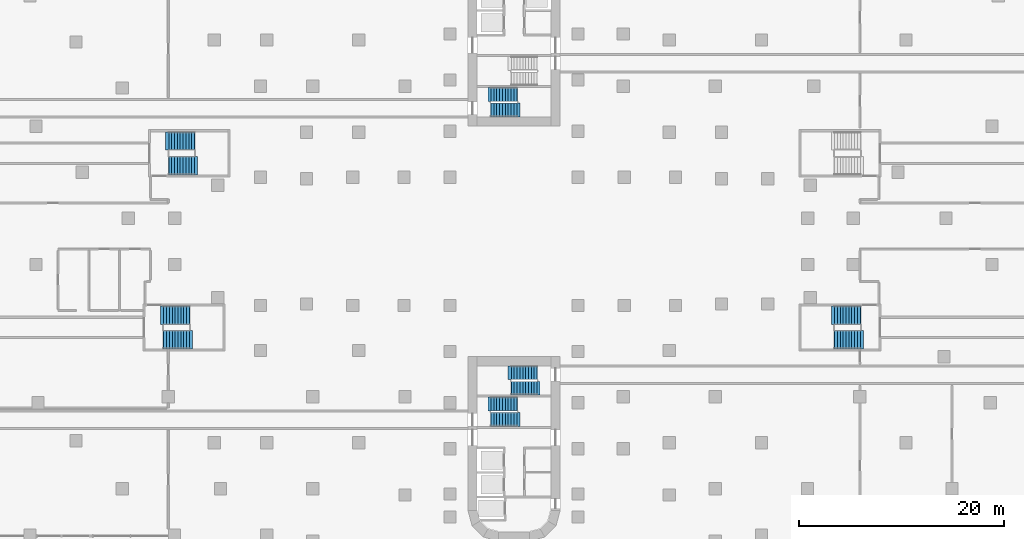
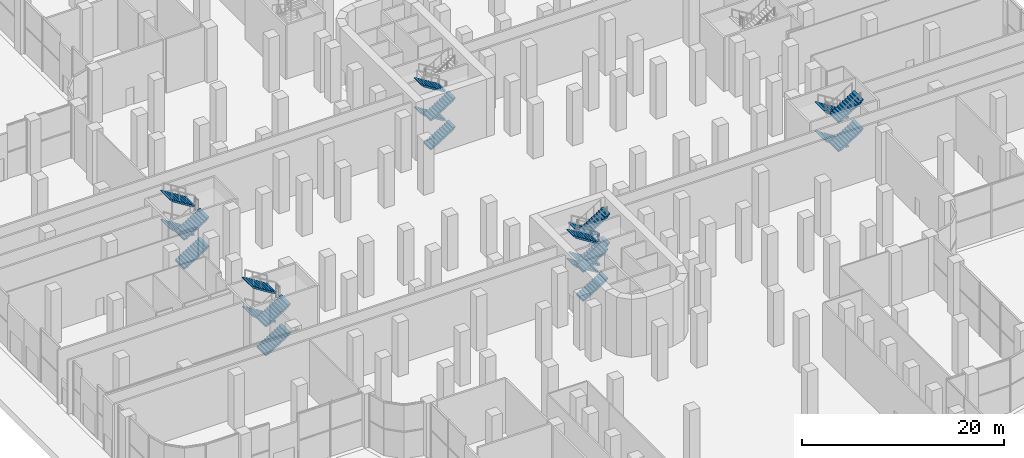
# One storey, part 28 of 34: 24 stair flights, 6 elements without a shape of their own.
"""IFC4 building model written with IfcOpenShell, lengths in metres."""

from ifc_helpers import new_model, si_unit, direction, frame, origin, place, context, subcontext, project, spatial, polyline, outline, extrude, material, type_object, element, aggregate, save


model = new_model("IFC4")

# Units and contexts
model_context = context("Model", 3, precision=1e-05, world=origin(), true_north=direction((0.0, 1.0)))
body_context = subcontext(model_context, "Body", "Model", "MODEL_VIEW")
ifc_project = project(units=[si_unit("LENGTHUNIT", "METRE"), si_unit("AREAUNIT", "SQUARE_METRE"), si_unit("VOLUMEUNIT", "CUBIC_METRE"), si_unit("PLANEANGLEUNIT", "RADIAN"), si_unit("MASSUNIT", "GRAM", prefix="KILO")], contexts=[model_context])

# Site, building, storey
site_placement = place(None, origin())
site = spatial("IfcSite", under=ifc_project, at=site_placement, CompositionType="ELEMENT")
building_placement = place(site_placement, origin())
building = spatial("IfcBuilding", under=site, at=building_placement, Name="Zarbagh Exchange Tower", CompositionType="ELEMENT")
storey_placement = place(building_placement, origin())
storey = spatial("IfcBuildingStorey", under=building, at=storey_placement, Name="L00", CompositionType="ELEMENT", Elevation=0.0)

# Stair, stair flights
ifc_material = material(Name="Concrete C40/50", Category="concrete")
stair_type = type_object("IfcStairType", Name="Exit stair two-flight half-turn", PredefinedType="HALF_TURN_STAIR", material=ifc_material)
stair_1_placement = place(storey_placement, origin())
stair_1 = element("IfcStair", 1, at=stair_1_placement, inside=storey, type_object=stair_type, Name="exit stair ST2", PredefinedType="HALF_TURN_STAIR")
stair_flight_type_1 = type_object("IfcStairFlightType", Name="Stair flight 1350 mm", PredefinedType="STRAIGHT", material=ifc_material)
stair_flight_1_placement = place(storey_placement, frame((-2.25, 12.824951171875, 0.0), z_axis=(0.0, 0.0, 1.0), x_axis=(1.0, 0.0, 0.0)))
stair_flight_1 = element("IfcStairFlight", 2, at=stair_flight_1_placement, type_object=stair_flight_type_1, Name="ST2 flight 1", NumberOfRisers=10, NumberOfTreads=9, PredefinedType="STRAIGHT", RiserHeight=0.175, TreadLength=0.28, context=body_context, shape_type="SweptSolid", body=[
    extrude(outline(polyline([(-0.050048828125, -0.050048828125), (-0.050048828125, 0.0), (0.0, 0.0), (0.0, 0.175048828125), (0.280029296875, 0.175048828125), (0.280029296875, 0.35009765625), (0.56005859375, 0.35009765625), (0.56005859375, 0.52490234375), (0.840087890625, 0.52490234375), (0.840087890625, 0.699951171875), (1.1201171875, 0.699951171875), (1.1201171875, 0.875), (1.39990234375, 0.875), (1.39990234375, 1.050048828125), (1.679931640625, 1.050048828125), (1.679931640625, 1.22509765625), (1.9599609375, 1.22509765625), (1.9599609375, 1.39990234375), (2.239990234375, 1.39990234375), (2.239990234375, 1.574951171875), (2.52001953125, 1.574951171875), (2.52001953125, 1.75), (2.820068359375, 1.830078125), (2.820068359375, 1.75), (2.52001953125, 1.398193359375), (0.28271484375, 0.0), (-0.050048828125, -0.050048828125)])), frame((0.0, 0.675048828125, 0.0), z_axis=(0.0, -1.0, 0.0), x_axis=(1.0, 0.0, 0.0)), (0.0, 0.0, 1.0), 1.35009765625),
])
stair_flight_2_placement = place(storey_placement, frame((0.27001953125, 14.324951171875, 1.75), z_axis=(0.0, 0.0, 1.0), x_axis=(-1.0, 0.0, 0.0)))
stair_flight_2 = element("IfcStairFlight", 3, at=stair_flight_2_placement, type_object=stair_flight_type_1, Name="ST2 flight 2", NumberOfRisers=10, NumberOfTreads=9, PredefinedType="STRAIGHT", RiserHeight=0.175, TreadLength=0.28, context=body_context, shape_type="SweptSolid", body=[
    extrude(outline(polyline([(-0.050048828125, -0.050048828125), (-0.050048828125, 0.0), (0.0, 0.0), (0.0, 0.175048828125), (0.280029296875, 0.175048828125), (0.280029296875, 0.35009765625), (0.56005859375, 0.35009765625), (0.56005859375, 0.52490234375), (0.840087890625, 0.52490234375), (0.840087890625, 0.699951171875), (1.1201171875, 0.699951171875), (1.1201171875, 0.875), (1.39990234375, 0.875), (1.39990234375, 1.050048828125), (1.679931640625, 1.050048828125), (1.679931640625, 1.22509765625), (1.9599609375, 1.22509765625), (1.9599609375, 1.39990234375), (2.239990234375, 1.39990234375), (2.239990234375, 1.574951171875), (2.52001953125, 1.574951171875), (2.52001953125, 1.75), (2.820068359375, 1.830078125), (2.820068359375, 1.75), (2.52001953125, 1.398193359375), (0.28271484375, 0.0), (-0.050048828125, -0.050048828125)])), frame((0.0, 0.675048828125, 0.0), z_axis=(0.0, -1.0, 0.0), x_axis=(1.0, 0.0, 0.0)), (0.0, 0.0, 1.0), 1.35009765625),
])
stair_flight_3_placement = place(storey_placement, frame((-2.25, 12.824951171875, 3.5), z_axis=(0.0, 0.0, 1.0), x_axis=(1.0, 0.0, 0.0)))
stair_flight_3 = element("IfcStairFlight", 4, at=stair_flight_3_placement, type_object=stair_flight_type_1, Name="ST2 flight 3", NumberOfRisers=10, NumberOfTreads=9, PredefinedType="STRAIGHT", RiserHeight=0.175, TreadLength=0.28, context=body_context, shape_type="SweptSolid", body=[
    extrude(outline(polyline([(-0.050048828125, -0.050048828125), (-0.050048828125, 0.0), (0.0, 0.0), (0.0, 0.175048828125), (0.280029296875, 0.175048828125), (0.280029296875, 0.35009765625), (0.56005859375, 0.35009765625), (0.56005859375, 0.52490234375), (0.840087890625, 0.52490234375), (0.840087890625, 0.699951171875), (1.1201171875, 0.699951171875), (1.1201171875, 0.875), (1.39990234375, 0.875), (1.39990234375, 1.050048828125), (1.679931640625, 1.050048828125), (1.679931640625, 1.22509765625), (1.9599609375, 1.22509765625), (1.9599609375, 1.39990234375), (2.239990234375, 1.39990234375), (2.239990234375, 1.574951171875), (2.52001953125, 1.574951171875), (2.52001953125, 1.75), (2.820068359375, 1.830078125), (2.820068359375, 1.75), (2.52001953125, 1.398193359375), (0.28271484375, 0.0), (-0.050048828125, -0.050048828125)])), frame((0.0, 0.675048828125, 0.0), z_axis=(0.0, -1.0, 0.0), x_axis=(1.0, 0.0, 0.0)), (0.0, 0.0, 1.0), 1.35009765625),
])
stair_flight_4_placement = place(storey_placement, frame((0.27001953125, 14.324951171875, 5.25), z_axis=(0.0, 0.0, 1.0), x_axis=(-1.0, 0.0, 0.0)))
stair_flight_4 = element("IfcStairFlight", 5, at=stair_flight_4_placement, type_object=stair_flight_type_1, Name="ST2 flight 4", NumberOfRisers=10, NumberOfTreads=9, PredefinedType="STRAIGHT", RiserHeight=0.175, TreadLength=0.28, context=body_context, shape_type="SweptSolid", body=[
    extrude(outline(polyline([(-0.050048828125, -0.050048828125), (-0.050048828125, 0.0), (0.0, 0.0), (0.0, 0.175048828125), (0.280029296875, 0.175048828125), (0.280029296875, 0.35009765625), (0.56005859375, 0.35009765625), (0.56005859375, 0.52490234375), (0.840087890625, 0.52490234375), (0.840087890625, 0.699951171875), (1.1201171875, 0.699951171875), (1.1201171875, 0.875), (1.39990234375, 0.875), (1.39990234375, 1.050048828125), (1.679931640625, 1.050048828125), (1.679931640625, 1.22509765625), (1.9599609375, 1.22509765625), (1.9599609375, 1.39990234375), (2.239990234375, 1.39990234375), (2.239990234375, 1.574951171875), (2.52001953125, 1.574951171875), (2.52001953125, 1.75), (2.820068359375, 1.830078125), (2.820068359375, 1.75), (2.52001953125, 1.398193359375), (0.28271484375, 0.0), (-0.050048828125, -0.050048828125)])), frame((0.0, 0.675048828125, 0.0), z_axis=(0.0, -1.0, 0.0), x_axis=(1.0, 0.0, 0.0)), (0.0, 0.0, 1.0), 1.35009765625),
])
aggregate(stair_1, [stair_flight_1, stair_flight_2, stair_flight_3, stair_flight_4])

stair_2_placement = place(storey_placement, origin())
stair_2 = element("IfcStair", 6, at=stair_2_placement, inside=storey, type_object=stair_type, Name="exit stair ST3", PredefinedType="HALF_TURN_STAIR")
stair_flight_5_placement = place(storey_placement, frame((-2.25, -17.375, 0.0), z_axis=(0.0, 0.0, 1.0), x_axis=(1.0, 0.0, 0.0)))
stair_flight_5 = element("IfcStairFlight", 7, at=stair_flight_5_placement, type_object=stair_flight_type_1, Name="ST3 flight 1", NumberOfRisers=10, NumberOfTreads=9, PredefinedType="STRAIGHT", RiserHeight=0.175, TreadLength=0.28, context=body_context, shape_type="SweptSolid", body=[
    extrude(outline(polyline([(-0.050048828125, -0.050048828125), (-0.050048828125, 0.0), (0.0, 0.0), (0.0, 0.175048828125), (0.280029296875, 0.175048828125), (0.280029296875, 0.35009765625), (0.56005859375, 0.35009765625), (0.56005859375, 0.52490234375), (0.840087890625, 0.52490234375), (0.840087890625, 0.699951171875), (1.1201171875, 0.699951171875), (1.1201171875, 0.875), (1.39990234375, 0.875), (1.39990234375, 1.050048828125), (1.679931640625, 1.050048828125), (1.679931640625, 1.22509765625), (1.9599609375, 1.22509765625), (1.9599609375, 1.39990234375), (2.239990234375, 1.39990234375), (2.239990234375, 1.574951171875), (2.52001953125, 1.574951171875), (2.52001953125, 1.75), (2.820068359375, 1.830078125), (2.820068359375, 1.75), (2.52001953125, 1.398193359375), (0.28271484375, 0.0), (-0.050048828125, -0.050048828125)])), frame((0.0, 0.675048828125, 0.0), z_axis=(0.0, -1.0, 0.0), x_axis=(1.0, 0.0, 0.0)), (0.0, 0.0, 1.0), 1.35009765625),
])
stair_flight_6_placement = place(storey_placement, frame((0.27001953125, -15.875, 1.75), z_axis=(0.0, 0.0, 1.0), x_axis=(-1.0, 0.0, 0.0)))
stair_flight_6 = element("IfcStairFlight", 8, at=stair_flight_6_placement, type_object=stair_flight_type_1, Name="ST3 flight 2", NumberOfRisers=10, NumberOfTreads=9, PredefinedType="STRAIGHT", RiserHeight=0.175, TreadLength=0.28, context=body_context, shape_type="SweptSolid", body=[
    extrude(outline(polyline([(-0.050048828125, -0.050048828125), (-0.050048828125, 0.0), (0.0, 0.0), (0.0, 0.175048828125), (0.280029296875, 0.175048828125), (0.280029296875, 0.35009765625), (0.56005859375, 0.35009765625), (0.56005859375, 0.52490234375), (0.840087890625, 0.52490234375), (0.840087890625, 0.699951171875), (1.1201171875, 0.699951171875), (1.1201171875, 0.875), (1.39990234375, 0.875), (1.39990234375, 1.050048828125), (1.679931640625, 1.050048828125), (1.679931640625, 1.22509765625), (1.9599609375, 1.22509765625), (1.9599609375, 1.39990234375), (2.239990234375, 1.39990234375), (2.239990234375, 1.574951171875), (2.52001953125, 1.574951171875), (2.52001953125, 1.75), (2.820068359375, 1.830078125), (2.820068359375, 1.75), (2.52001953125, 1.398193359375), (0.28271484375, 0.0), (-0.050048828125, -0.050048828125)])), frame((0.0, 0.675048828125, 0.0), z_axis=(0.0, -1.0, 0.0), x_axis=(1.0, 0.0, 0.0)), (0.0, 0.0, 1.0), 1.35009765625),
])
stair_flight_7_placement = place(storey_placement, frame((-2.25, -17.375, 3.5), z_axis=(0.0, 0.0, 1.0), x_axis=(1.0, 0.0, 0.0)))
stair_flight_7 = element("IfcStairFlight", 9, at=stair_flight_7_placement, type_object=stair_flight_type_1, Name="ST3 flight 3", NumberOfRisers=10, NumberOfTreads=9, PredefinedType="STRAIGHT", RiserHeight=0.175, TreadLength=0.28, context=body_context, shape_type="SweptSolid", body=[
    extrude(outline(polyline([(-0.050048828125, -0.050048828125), (-0.050048828125, 0.0), (0.0, 0.0), (0.0, 0.175048828125), (0.280029296875, 0.175048828125), (0.280029296875, 0.35009765625), (0.56005859375, 0.35009765625), (0.56005859375, 0.52490234375), (0.840087890625, 0.52490234375), (0.840087890625, 0.699951171875), (1.1201171875, 0.699951171875), (1.1201171875, 0.875), (1.39990234375, 0.875), (1.39990234375, 1.050048828125), (1.679931640625, 1.050048828125), (1.679931640625, 1.22509765625), (1.9599609375, 1.22509765625), (1.9599609375, 1.39990234375), (2.239990234375, 1.39990234375), (2.239990234375, 1.574951171875), (2.52001953125, 1.574951171875), (2.52001953125, 1.75), (2.820068359375, 1.830078125), (2.820068359375, 1.75), (2.52001953125, 1.398193359375), (0.28271484375, 0.0), (-0.050048828125, -0.050048828125)])), frame((0.0, 0.675048828125, 0.0), z_axis=(0.0, -1.0, 0.0), x_axis=(1.0, 0.0, 0.0)), (0.0, 0.0, 1.0), 1.35009765625),
])
stair_flight_8_placement = place(storey_placement, frame((0.27001953125, -15.875, 5.25), z_axis=(0.0, 0.0, 1.0), x_axis=(-1.0, 0.0, 0.0)))
stair_flight_8 = element("IfcStairFlight", 10, at=stair_flight_8_placement, type_object=stair_flight_type_1, Name="ST3 flight 4", NumberOfRisers=10, NumberOfTreads=9, PredefinedType="STRAIGHT", RiserHeight=0.175, TreadLength=0.28, context=body_context, shape_type="SweptSolid", body=[
    extrude(outline(polyline([(-0.050048828125, -0.050048828125), (-0.050048828125, 0.0), (0.0, 0.0), (0.0, 0.175048828125), (0.280029296875, 0.175048828125), (0.280029296875, 0.35009765625), (0.56005859375, 0.35009765625), (0.56005859375, 0.52490234375), (0.840087890625, 0.52490234375), (0.840087890625, 0.699951171875), (1.1201171875, 0.699951171875), (1.1201171875, 0.875), (1.39990234375, 0.875), (1.39990234375, 1.050048828125), (1.679931640625, 1.050048828125), (1.679931640625, 1.22509765625), (1.9599609375, 1.22509765625), (1.9599609375, 1.39990234375), (2.239990234375, 1.39990234375), (2.239990234375, 1.574951171875), (2.52001953125, 1.574951171875), (2.52001953125, 1.75), (2.820068359375, 1.830078125), (2.820068359375, 1.75), (2.52001953125, 1.398193359375), (0.28271484375, 0.0), (-0.050048828125, -0.050048828125)])), frame((0.0, 0.675048828125, 0.0), z_axis=(0.0, -1.0, 0.0), x_axis=(1.0, 0.0, 0.0)), (0.0, 0.0, 1.0), 1.35009765625),
])
aggregate(stair_2, [stair_flight_5, stair_flight_6, stair_flight_7, stair_flight_8])

stair_3_placement = place(storey_placement, origin())
stair_3 = element("IfcStair", 11, at=stair_3_placement, inside=storey, type_object=stair_type, Name="exit stair ST4", PredefinedType="HALF_TURN_STAIR")
stair_flight_9_placement = place(storey_placement, frame((2.25, -12.824951171875, 0.0), z_axis=(0.0, 0.0, 1.0), x_axis=(-1.0, 0.0, 0.0)))
stair_flight_9 = element("IfcStairFlight", 12, at=stair_flight_9_placement, type_object=stair_flight_type_1, Name="ST4 flight 1", NumberOfRisers=10, NumberOfTreads=9, PredefinedType="STRAIGHT", RiserHeight=0.175, TreadLength=0.28, context=body_context, shape_type="SweptSolid", body=[
    extrude(outline(polyline([(-0.050048828125, -0.050048828125), (-0.050048828125, 0.0), (0.0, 0.0), (0.0, 0.175048828125), (0.280029296875, 0.175048828125), (0.280029296875, 0.35009765625), (0.56005859375, 0.35009765625), (0.56005859375, 0.52490234375), (0.840087890625, 0.52490234375), (0.840087890625, 0.699951171875), (1.1201171875, 0.699951171875), (1.1201171875, 0.875), (1.39990234375, 0.875), (1.39990234375, 1.050048828125), (1.679931640625, 1.050048828125), (1.679931640625, 1.22509765625), (1.9599609375, 1.22509765625), (1.9599609375, 1.39990234375), (2.239990234375, 1.39990234375), (2.239990234375, 1.574951171875), (2.52001953125, 1.574951171875), (2.52001953125, 1.75), (2.820068359375, 1.830078125), (2.820068359375, 1.75), (2.52001953125, 1.398193359375), (0.28271484375, 0.0), (-0.050048828125, -0.050048828125)])), frame((0.0, 0.675048828125, 0.0), z_axis=(0.0, -1.0, 0.0), x_axis=(1.0, 0.0, 0.0)), (0.0, 0.0, 1.0), 1.35009765625),
])
stair_flight_10_placement = place(storey_placement, frame((-0.27001953125, -14.324951171875, 1.75), z_axis=(0.0, 0.0, 1.0), x_axis=(1.0, 0.0, 0.0)))
stair_flight_10 = element("IfcStairFlight", 13, at=stair_flight_10_placement, type_object=stair_flight_type_1, Name="ST4 flight 2", NumberOfRisers=10, NumberOfTreads=9, PredefinedType="STRAIGHT", RiserHeight=0.175, TreadLength=0.28, context=body_context, shape_type="SweptSolid", body=[
    extrude(outline(polyline([(-0.050048828125, -0.050048828125), (-0.050048828125, 0.0), (0.0, 0.0), (0.0, 0.175048828125), (0.280029296875, 0.175048828125), (0.280029296875, 0.35009765625), (0.56005859375, 0.35009765625), (0.56005859375, 0.52490234375), (0.840087890625, 0.52490234375), (0.840087890625, 0.699951171875), (1.1201171875, 0.699951171875), (1.1201171875, 0.875), (1.39990234375, 0.875), (1.39990234375, 1.050048828125), (1.679931640625, 1.050048828125), (1.679931640625, 1.22509765625), (1.9599609375, 1.22509765625), (1.9599609375, 1.39990234375), (2.239990234375, 1.39990234375), (2.239990234375, 1.574951171875), (2.52001953125, 1.574951171875), (2.52001953125, 1.75), (2.820068359375, 1.830078125), (2.820068359375, 1.75), (2.52001953125, 1.398193359375), (0.28271484375, 0.0), (-0.050048828125, -0.050048828125)])), frame((0.0, 0.675048828125, 0.0), z_axis=(0.0, -1.0, 0.0), x_axis=(1.0, 0.0, 0.0)), (0.0, 0.0, 1.0), 1.35009765625),
])
stair_flight_11_placement = place(storey_placement, frame((2.25, -12.824951171875, 3.5), z_axis=(0.0, 0.0, 1.0), x_axis=(-1.0, 0.0, 0.0)))
stair_flight_11 = element("IfcStairFlight", 14, at=stair_flight_11_placement, type_object=stair_flight_type_1, Name="ST4 flight 3", NumberOfRisers=10, NumberOfTreads=9, PredefinedType="STRAIGHT", RiserHeight=0.175, TreadLength=0.28, context=body_context, shape_type="SweptSolid", body=[
    extrude(outline(polyline([(-0.050048828125, -0.050048828125), (-0.050048828125, 0.0), (0.0, 0.0), (0.0, 0.175048828125), (0.280029296875, 0.175048828125), (0.280029296875, 0.35009765625), (0.56005859375, 0.35009765625), (0.56005859375, 0.52490234375), (0.840087890625, 0.52490234375), (0.840087890625, 0.699951171875), (1.1201171875, 0.699951171875), (1.1201171875, 0.875), (1.39990234375, 0.875), (1.39990234375, 1.050048828125), (1.679931640625, 1.050048828125), (1.679931640625, 1.22509765625), (1.9599609375, 1.22509765625), (1.9599609375, 1.39990234375), (2.239990234375, 1.39990234375), (2.239990234375, 1.574951171875), (2.52001953125, 1.574951171875), (2.52001953125, 1.75), (2.820068359375, 1.830078125), (2.820068359375, 1.75), (2.52001953125, 1.398193359375), (0.28271484375, 0.0), (-0.050048828125, -0.050048828125)])), frame((0.0, 0.675048828125, 0.0), z_axis=(0.0, -1.0, 0.0), x_axis=(1.0, 0.0, 0.0)), (0.0, 0.0, 1.0), 1.35009765625),
])
stair_flight_12_placement = place(storey_placement, frame((-0.27001953125, -14.324951171875, 5.25), z_axis=(0.0, 0.0, 1.0), x_axis=(1.0, 0.0, 0.0)))
stair_flight_12 = element("IfcStairFlight", 15, at=stair_flight_12_placement, type_object=stair_flight_type_1, Name="ST4 flight 4", NumberOfRisers=10, NumberOfTreads=9, PredefinedType="STRAIGHT", RiserHeight=0.175, TreadLength=0.28, context=body_context, shape_type="SweptSolid", body=[
    extrude(outline(polyline([(-0.050048828125, -0.050048828125), (-0.050048828125, 0.0), (0.0, 0.0), (0.0, 0.175048828125), (0.280029296875, 0.175048828125), (0.280029296875, 0.35009765625), (0.56005859375, 0.35009765625), (0.56005859375, 0.52490234375), (0.840087890625, 0.52490234375), (0.840087890625, 0.699951171875), (1.1201171875, 0.699951171875), (1.1201171875, 0.875), (1.39990234375, 0.875), (1.39990234375, 1.050048828125), (1.679931640625, 1.050048828125), (1.679931640625, 1.22509765625), (1.9599609375, 1.22509765625), (1.9599609375, 1.39990234375), (2.239990234375, 1.39990234375), (2.239990234375, 1.574951171875), (2.52001953125, 1.574951171875), (2.52001953125, 1.75), (2.820068359375, 1.830078125), (2.820068359375, 1.75), (2.52001953125, 1.398193359375), (0.28271484375, 0.0), (-0.050048828125, -0.050048828125)])), frame((0.0, 0.675048828125, 0.0), z_axis=(0.0, -1.0, 0.0), x_axis=(1.0, 0.0, 0.0)), (0.0, 0.0, 1.0), 1.35009765625),
])
aggregate(stair_3, [stair_flight_9, stair_flight_10, stair_flight_11, stair_flight_12])

stair_4_placement = place(storey_placement, origin())
stair_4 = element("IfcStair", 16, at=stair_4_placement, inside=storey, type_object=stair_type, Name="exit stair PS4", PredefinedType="HALF_TURN_STAIR")
stair_flight_type_2 = type_object("IfcStairFlightType", Name="Stair flight 1800 mm", PredefinedType="STRAIGHT", material=ifc_material)
stair_flight_13_placement = place(storey_placement, frame((-34.199951171875, -9.60009765625, 0.0), z_axis=(0.0, 0.0, 1.0), x_axis=(1.0, 0.0, 0.0)))
stair_flight_13 = element("IfcStairFlight", 17, at=stair_flight_13_placement, type_object=stair_flight_type_2, Name="PS4 flight 1", NumberOfRisers=10, NumberOfTreads=9, PredefinedType="STRAIGHT", RiserHeight=0.175, TreadLength=0.28, context=body_context, shape_type="SweptSolid", body=[
    extrude(outline(polyline([(-0.050048828125, -0.050048828125), (-0.050048828125, 0.0), (0.0, 0.0), (0.0, 0.175048828125), (0.280029296875, 0.175048828125), (0.280029296875, 0.35009765625), (0.56005859375, 0.35009765625), (0.56005859375, 0.52490234375), (0.840087890625, 0.52490234375), (0.840087890625, 0.699951171875), (1.1201171875, 0.699951171875), (1.1201171875, 0.875), (1.39990234375, 0.875), (1.39990234375, 1.050048828125), (1.679931640625, 1.050048828125), (1.679931640625, 1.22509765625), (1.9599609375, 1.22509765625), (1.9599609375, 1.39990234375), (2.239990234375, 1.39990234375), (2.239990234375, 1.574951171875), (2.52001953125, 1.574951171875), (2.52001953125, 1.75), (2.820068359375, 1.830078125), (2.820068359375, 1.75), (2.52001953125, 1.398193359375), (0.28271484375, 0.0), (-0.050048828125, -0.050048828125)])), frame((0.0, 0.89990234375, 0.0), z_axis=(0.0, -1.0, 0.0), x_axis=(1.0, 0.0, 0.0)), (0.0, 0.0, 1.0), 1.800048828125),
])
stair_flight_14_placement = place(storey_placement, frame((-31.679931640625, -7.199951171875, 1.75), z_axis=(0.0, 0.0, 1.0), x_axis=(-1.0, 0.0, 0.0)))
stair_flight_14 = element("IfcStairFlight", 18, at=stair_flight_14_placement, type_object=stair_flight_type_2, Name="PS4 flight 2", NumberOfRisers=10, NumberOfTreads=9, PredefinedType="STRAIGHT", RiserHeight=0.175, TreadLength=0.28, context=body_context, shape_type="SweptSolid", body=[
    extrude(outline(polyline([(-0.050048828125, -0.050048828125), (-0.050048828125, 0.0), (0.0, 0.0), (0.0, 0.175048828125), (0.280029296875, 0.175048828125), (0.280029296875, 0.35009765625), (0.56005859375, 0.35009765625), (0.56005859375, 0.52490234375), (0.840087890625, 0.52490234375), (0.840087890625, 0.699951171875), (1.1201171875, 0.699951171875), (1.1201171875, 0.875), (1.39990234375, 0.875), (1.39990234375, 1.050048828125), (1.679931640625, 1.050048828125), (1.679931640625, 1.22509765625), (1.9599609375, 1.22509765625), (1.9599609375, 1.39990234375), (2.239990234375, 1.39990234375), (2.239990234375, 1.574951171875), (2.52001953125, 1.574951171875), (2.52001953125, 1.75), (2.820068359375, 1.830078125), (2.820068359375, 1.75), (2.52001953125, 1.398193359375), (0.28271484375, 0.0), (-0.050048828125, -0.050048828125)])), frame((0.0, 0.89990234375, 0.0), z_axis=(0.0, -1.0, 0.0), x_axis=(1.0, 0.0, 0.0)), (0.0, 0.0, 1.0), 1.800048828125),
])
stair_flight_15_placement = place(storey_placement, frame((-34.199951171875, -9.60009765625, 3.5), z_axis=(0.0, 0.0, 1.0), x_axis=(1.0, 0.0, 0.0)))
stair_flight_15 = element("IfcStairFlight", 19, at=stair_flight_15_placement, type_object=stair_flight_type_2, Name="PS4 flight 3", NumberOfRisers=10, NumberOfTreads=9, PredefinedType="STRAIGHT", RiserHeight=0.175, TreadLength=0.28, context=body_context, shape_type="SweptSolid", body=[
    extrude(outline(polyline([(-0.050048828125, -0.050048828125), (-0.050048828125, 0.0), (0.0, 0.0), (0.0, 0.175048828125), (0.280029296875, 0.175048828125), (0.280029296875, 0.35009765625), (0.56005859375, 0.35009765625), (0.56005859375, 0.52490234375), (0.840087890625, 0.52490234375), (0.840087890625, 0.699951171875), (1.1201171875, 0.699951171875), (1.1201171875, 0.875), (1.39990234375, 0.875), (1.39990234375, 1.050048828125), (1.679931640625, 1.050048828125), (1.679931640625, 1.22509765625), (1.9599609375, 1.22509765625), (1.9599609375, 1.39990234375), (2.239990234375, 1.39990234375), (2.239990234375, 1.574951171875), (2.52001953125, 1.574951171875), (2.52001953125, 1.75), (2.820068359375, 1.830078125), (2.820068359375, 1.75), (2.52001953125, 1.398193359375), (0.28271484375, 0.0), (-0.050048828125, -0.050048828125)])), frame((0.0, 0.89990234375, 0.0), z_axis=(0.0, -1.0, 0.0), x_axis=(1.0, 0.0, 0.0)), (0.0, 0.0, 1.0), 1.800048828125),
])
stair_flight_16_placement = place(storey_placement, frame((-31.679931640625, -7.199951171875, 5.25), z_axis=(0.0, 0.0, 1.0), x_axis=(-1.0, 0.0, 0.0)))
stair_flight_16 = element("IfcStairFlight", 20, at=stair_flight_16_placement, type_object=stair_flight_type_2, Name="PS4 flight 4", NumberOfRisers=10, NumberOfTreads=9, PredefinedType="STRAIGHT", RiserHeight=0.175, TreadLength=0.28, context=body_context, shape_type="SweptSolid", body=[
    extrude(outline(polyline([(-0.050048828125, -0.050048828125), (-0.050048828125, 0.0), (0.0, 0.0), (0.0, 0.175048828125), (0.280029296875, 0.175048828125), (0.280029296875, 0.35009765625), (0.56005859375, 0.35009765625), (0.56005859375, 0.52490234375), (0.840087890625, 0.52490234375), (0.840087890625, 0.699951171875), (1.1201171875, 0.699951171875), (1.1201171875, 0.875), (1.39990234375, 0.875), (1.39990234375, 1.050048828125), (1.679931640625, 1.050048828125), (1.679931640625, 1.22509765625), (1.9599609375, 1.22509765625), (1.9599609375, 1.39990234375), (2.239990234375, 1.39990234375), (2.239990234375, 1.574951171875), (2.52001953125, 1.574951171875), (2.52001953125, 1.75), (2.820068359375, 1.830078125), (2.820068359375, 1.75), (2.52001953125, 1.398193359375), (0.28271484375, 0.0), (-0.050048828125, -0.050048828125)])), frame((0.0, 0.89990234375, 0.0), z_axis=(0.0, -1.0, 0.0), x_axis=(1.0, 0.0, 0.0)), (0.0, 0.0, 1.0), 1.800048828125),
])
aggregate(stair_4, [stair_flight_13, stair_flight_14, stair_flight_15, stair_flight_16])

stair_5_placement = place(storey_placement, origin())
stair_5 = element("IfcStair", 21, at=stair_5_placement, inside=storey, type_object=stair_type, Name="exit stair PS5", PredefinedType="HALF_TURN_STAIR")
stair_flight_17_placement = place(storey_placement, frame((-33.699951171875, 7.39990234375, 0.0), z_axis=(0.0, 0.0, 1.0), x_axis=(1.0, 0.0, 0.0)))
stair_flight_17 = element("IfcStairFlight", 22, at=stair_flight_17_placement, type_object=stair_flight_type_2, Name="PS5 flight 1", NumberOfRisers=10, NumberOfTreads=9, PredefinedType="STRAIGHT", RiserHeight=0.175, TreadLength=0.28, context=body_context, shape_type="SweptSolid", body=[
    extrude(outline(polyline([(-0.050048828125, -0.050048828125), (-0.050048828125, 0.0), (0.0, 0.0), (0.0, 0.175048828125), (0.280029296875, 0.175048828125), (0.280029296875, 0.35009765625), (0.56005859375, 0.35009765625), (0.56005859375, 0.52490234375), (0.840087890625, 0.52490234375), (0.840087890625, 0.699951171875), (1.1201171875, 0.699951171875), (1.1201171875, 0.875), (1.39990234375, 0.875), (1.39990234375, 1.050048828125), (1.679931640625, 1.050048828125), (1.679931640625, 1.22509765625), (1.9599609375, 1.22509765625), (1.9599609375, 1.39990234375), (2.239990234375, 1.39990234375), (2.239990234375, 1.574951171875), (2.52001953125, 1.574951171875), (2.52001953125, 1.75), (2.820068359375, 1.830078125), (2.820068359375, 1.75), (2.52001953125, 1.398193359375), (0.28271484375, 0.0), (-0.050048828125, -0.050048828125)])), frame((0.0, 0.89990234375, 0.0), z_axis=(0.0, -1.0, 0.0), x_axis=(1.0, 0.0, 0.0)), (0.0, 0.0, 1.0), 1.800048828125),
])
stair_flight_18_placement = place(storey_placement, frame((-31.179931640625, 9.800048828125, 1.75), z_axis=(0.0, 0.0, 1.0), x_axis=(-1.0, 0.0, 0.0)))
stair_flight_18 = element("IfcStairFlight", 23, at=stair_flight_18_placement, type_object=stair_flight_type_2, Name="PS5 flight 2", NumberOfRisers=10, NumberOfTreads=9, PredefinedType="STRAIGHT", RiserHeight=0.175, TreadLength=0.28, context=body_context, shape_type="SweptSolid", body=[
    extrude(outline(polyline([(-0.050048828125, -0.050048828125), (-0.050048828125, 0.0), (0.0, 0.0), (0.0, 0.175048828125), (0.280029296875, 0.175048828125), (0.280029296875, 0.35009765625), (0.56005859375, 0.35009765625), (0.56005859375, 0.52490234375), (0.840087890625, 0.52490234375), (0.840087890625, 0.699951171875), (1.1201171875, 0.699951171875), (1.1201171875, 0.875), (1.39990234375, 0.875), (1.39990234375, 1.050048828125), (1.679931640625, 1.050048828125), (1.679931640625, 1.22509765625), (1.9599609375, 1.22509765625), (1.9599609375, 1.39990234375), (2.239990234375, 1.39990234375), (2.239990234375, 1.574951171875), (2.52001953125, 1.574951171875), (2.52001953125, 1.75), (2.820068359375, 1.830078125), (2.820068359375, 1.75), (2.52001953125, 1.398193359375), (0.28271484375, 0.0), (-0.050048828125, -0.050048828125)])), frame((0.0, 0.89990234375, 0.0), z_axis=(0.0, -1.0, 0.0), x_axis=(1.0, 0.0, 0.0)), (0.0, 0.0, 1.0), 1.800048828125),
])
stair_flight_19_placement = place(storey_placement, frame((-33.699951171875, 7.39990234375, 3.5), z_axis=(0.0, 0.0, 1.0), x_axis=(1.0, 0.0, 0.0)))
stair_flight_19 = element("IfcStairFlight", 24, at=stair_flight_19_placement, type_object=stair_flight_type_2, Name="PS5 flight 3", NumberOfRisers=10, NumberOfTreads=9, PredefinedType="STRAIGHT", RiserHeight=0.175, TreadLength=0.28, context=body_context, shape_type="SweptSolid", body=[
    extrude(outline(polyline([(-0.050048828125, -0.050048828125), (-0.050048828125, 0.0), (0.0, 0.0), (0.0, 0.175048828125), (0.280029296875, 0.175048828125), (0.280029296875, 0.35009765625), (0.56005859375, 0.35009765625), (0.56005859375, 0.52490234375), (0.840087890625, 0.52490234375), (0.840087890625, 0.699951171875), (1.1201171875, 0.699951171875), (1.1201171875, 0.875), (1.39990234375, 0.875), (1.39990234375, 1.050048828125), (1.679931640625, 1.050048828125), (1.679931640625, 1.22509765625), (1.9599609375, 1.22509765625), (1.9599609375, 1.39990234375), (2.239990234375, 1.39990234375), (2.239990234375, 1.574951171875), (2.52001953125, 1.574951171875), (2.52001953125, 1.75), (2.820068359375, 1.830078125), (2.820068359375, 1.75), (2.52001953125, 1.398193359375), (0.28271484375, 0.0), (-0.050048828125, -0.050048828125)])), frame((0.0, 0.89990234375, 0.0), z_axis=(0.0, -1.0, 0.0), x_axis=(1.0, 0.0, 0.0)), (0.0, 0.0, 1.0), 1.800048828125),
])
stair_flight_20_placement = place(storey_placement, frame((-31.179931640625, 9.800048828125, 5.25), z_axis=(0.0, 0.0, 1.0), x_axis=(-1.0, 0.0, 0.0)))
stair_flight_20 = element("IfcStairFlight", 25, at=stair_flight_20_placement, type_object=stair_flight_type_2, Name="PS5 flight 4", NumberOfRisers=10, NumberOfTreads=9, PredefinedType="STRAIGHT", RiserHeight=0.175, TreadLength=0.28, context=body_context, shape_type="SweptSolid", body=[
    extrude(outline(polyline([(-0.050048828125, -0.050048828125), (-0.050048828125, 0.0), (0.0, 0.0), (0.0, 0.175048828125), (0.280029296875, 0.175048828125), (0.280029296875, 0.35009765625), (0.56005859375, 0.35009765625), (0.56005859375, 0.52490234375), (0.840087890625, 0.52490234375), (0.840087890625, 0.699951171875), (1.1201171875, 0.699951171875), (1.1201171875, 0.875), (1.39990234375, 0.875), (1.39990234375, 1.050048828125), (1.679931640625, 1.050048828125), (1.679931640625, 1.22509765625), (1.9599609375, 1.22509765625), (1.9599609375, 1.39990234375), (2.239990234375, 1.39990234375), (2.239990234375, 1.574951171875), (2.52001953125, 1.574951171875), (2.52001953125, 1.75), (2.820068359375, 1.830078125), (2.820068359375, 1.75), (2.52001953125, 1.398193359375), (0.28271484375, 0.0), (-0.050048828125, -0.050048828125)])), frame((0.0, 0.89990234375, 0.0), z_axis=(0.0, -1.0, 0.0), x_axis=(1.0, 0.0, 0.0)), (0.0, 0.0, 1.0), 1.800048828125),
])
aggregate(stair_5, [stair_flight_17, stair_flight_18, stair_flight_19, stair_flight_20])

stair_6_placement = place(storey_placement, origin())
stair_6 = element("IfcStair", 26, at=stair_6_placement, inside=storey, type_object=stair_type, Name="exit stair PS6", PredefinedType="HALF_TURN_STAIR")
stair_flight_21_placement = place(storey_placement, frame((33.800048828125, -7.199951171875, 0.0), z_axis=(0.0, 0.0, 1.0), x_axis=(-1.0, 0.0, 0.0)))
stair_flight_21 = element("IfcStairFlight", 27, at=stair_flight_21_placement, type_object=stair_flight_type_2, Name="PS6 flight 1", NumberOfRisers=10, NumberOfTreads=9, PredefinedType="STRAIGHT", RiserHeight=0.175, TreadLength=0.28, context=body_context, shape_type="SweptSolid", body=[
    extrude(outline(polyline([(-0.050048828125, -0.050048828125), (-0.050048828125, 0.0), (0.0, 0.0), (0.0, 0.175048828125), (0.280029296875, 0.175048828125), (0.280029296875, 0.35009765625), (0.56005859375, 0.35009765625), (0.56005859375, 0.52490234375), (0.840087890625, 0.52490234375), (0.840087890625, 0.699951171875), (1.1201171875, 0.699951171875), (1.1201171875, 0.875), (1.39990234375, 0.875), (1.39990234375, 1.050048828125), (1.679931640625, 1.050048828125), (1.679931640625, 1.22509765625), (1.9599609375, 1.22509765625), (1.9599609375, 1.39990234375), (2.239990234375, 1.39990234375), (2.239990234375, 1.574951171875), (2.52001953125, 1.574951171875), (2.52001953125, 1.75), (2.820068359375, 1.830078125), (2.820068359375, 1.75), (2.52001953125, 1.398193359375), (0.28271484375, 0.0), (-0.050048828125, -0.050048828125)])), frame((0.0, 0.89990234375, 0.0), z_axis=(0.0, -1.0, 0.0), x_axis=(1.0, 0.0, 0.0)), (0.0, 0.0, 1.0), 1.800048828125),
])
stair_flight_22_placement = place(storey_placement, frame((31.280029296875, -9.60009765625, 1.75), z_axis=(0.0, 0.0, 1.0), x_axis=(1.0, 0.0, 0.0)))
stair_flight_22 = element("IfcStairFlight", 28, at=stair_flight_22_placement, type_object=stair_flight_type_2, Name="PS6 flight 2", NumberOfRisers=10, NumberOfTreads=9, PredefinedType="STRAIGHT", RiserHeight=0.175, TreadLength=0.28, context=body_context, shape_type="SweptSolid", body=[
    extrude(outline(polyline([(-0.050048828125, -0.050048828125), (-0.050048828125, 0.0), (0.0, 0.0), (0.0, 0.175048828125), (0.280029296875, 0.175048828125), (0.280029296875, 0.35009765625), (0.56005859375, 0.35009765625), (0.56005859375, 0.52490234375), (0.840087890625, 0.52490234375), (0.840087890625, 0.699951171875), (1.1201171875, 0.699951171875), (1.1201171875, 0.875), (1.39990234375, 0.875), (1.39990234375, 1.050048828125), (1.679931640625, 1.050048828125), (1.679931640625, 1.22509765625), (1.9599609375, 1.22509765625), (1.9599609375, 1.39990234375), (2.239990234375, 1.39990234375), (2.239990234375, 1.574951171875), (2.52001953125, 1.574951171875), (2.52001953125, 1.75), (2.820068359375, 1.830078125), (2.820068359375, 1.75), (2.52001953125, 1.398193359375), (0.28271484375, 0.0), (-0.050048828125, -0.050048828125)])), frame((0.0, 0.89990234375, 0.0), z_axis=(0.0, -1.0, 0.0), x_axis=(1.0, 0.0, 0.0)), (0.0, 0.0, 1.0), 1.800048828125),
])
stair_flight_23_placement = place(storey_placement, frame((33.800048828125, -7.199951171875, 3.5), z_axis=(0.0, 0.0, 1.0), x_axis=(-1.0, 0.0, 0.0)))
stair_flight_23 = element("IfcStairFlight", 29, at=stair_flight_23_placement, type_object=stair_flight_type_2, Name="PS6 flight 3", NumberOfRisers=10, NumberOfTreads=9, PredefinedType="STRAIGHT", RiserHeight=0.175, TreadLength=0.28, context=body_context, shape_type="SweptSolid", body=[
    extrude(outline(polyline([(-0.050048828125, -0.050048828125), (-0.050048828125, 0.0), (0.0, 0.0), (0.0, 0.175048828125), (0.280029296875, 0.175048828125), (0.280029296875, 0.35009765625), (0.56005859375, 0.35009765625), (0.56005859375, 0.52490234375), (0.840087890625, 0.52490234375), (0.840087890625, 0.699951171875), (1.1201171875, 0.699951171875), (1.1201171875, 0.875), (1.39990234375, 0.875), (1.39990234375, 1.050048828125), (1.679931640625, 1.050048828125), (1.679931640625, 1.22509765625), (1.9599609375, 1.22509765625), (1.9599609375, 1.39990234375), (2.239990234375, 1.39990234375), (2.239990234375, 1.574951171875), (2.52001953125, 1.574951171875), (2.52001953125, 1.75), (2.820068359375, 1.830078125), (2.820068359375, 1.75), (2.52001953125, 1.398193359375), (0.28271484375, 0.0), (-0.050048828125, -0.050048828125)])), frame((0.0, 0.89990234375, 0.0), z_axis=(0.0, -1.0, 0.0), x_axis=(1.0, 0.0, 0.0)), (0.0, 0.0, 1.0), 1.800048828125),
])
stair_flight_24_placement = place(storey_placement, frame((31.280029296875, -9.60009765625, 5.25), z_axis=(0.0, 0.0, 1.0), x_axis=(1.0, 0.0, 0.0)))
stair_flight_24 = element("IfcStairFlight", 30, at=stair_flight_24_placement, type_object=stair_flight_type_2, Name="PS6 flight 4", NumberOfRisers=10, NumberOfTreads=9, PredefinedType="STRAIGHT", RiserHeight=0.175, TreadLength=0.28, context=body_context, shape_type="SweptSolid", body=[
    extrude(outline(polyline([(-0.050048828125, -0.050048828125), (-0.050048828125, 0.0), (0.0, 0.0), (0.0, 0.175048828125), (0.280029296875, 0.175048828125), (0.280029296875, 0.35009765625), (0.56005859375, 0.35009765625), (0.56005859375, 0.52490234375), (0.840087890625, 0.52490234375), (0.840087890625, 0.699951171875), (1.1201171875, 0.699951171875), (1.1201171875, 0.875), (1.39990234375, 0.875), (1.39990234375, 1.050048828125), (1.679931640625, 1.050048828125), (1.679931640625, 1.22509765625), (1.9599609375, 1.22509765625), (1.9599609375, 1.39990234375), (2.239990234375, 1.39990234375), (2.239990234375, 1.574951171875), (2.52001953125, 1.574951171875), (2.52001953125, 1.75), (2.820068359375, 1.830078125), (2.820068359375, 1.75), (2.52001953125, 1.398193359375), (0.28271484375, 0.0), (-0.050048828125, -0.050048828125)])), frame((0.0, 0.89990234375, 0.0), z_axis=(0.0, -1.0, 0.0), x_axis=(1.0, 0.0, 0.0)), (0.0, 0.0, 1.0), 1.800048828125),
])
aggregate(stair_6, [stair_flight_21, stair_flight_22, stair_flight_23, stair_flight_24])

save(model, "model.ifc")
